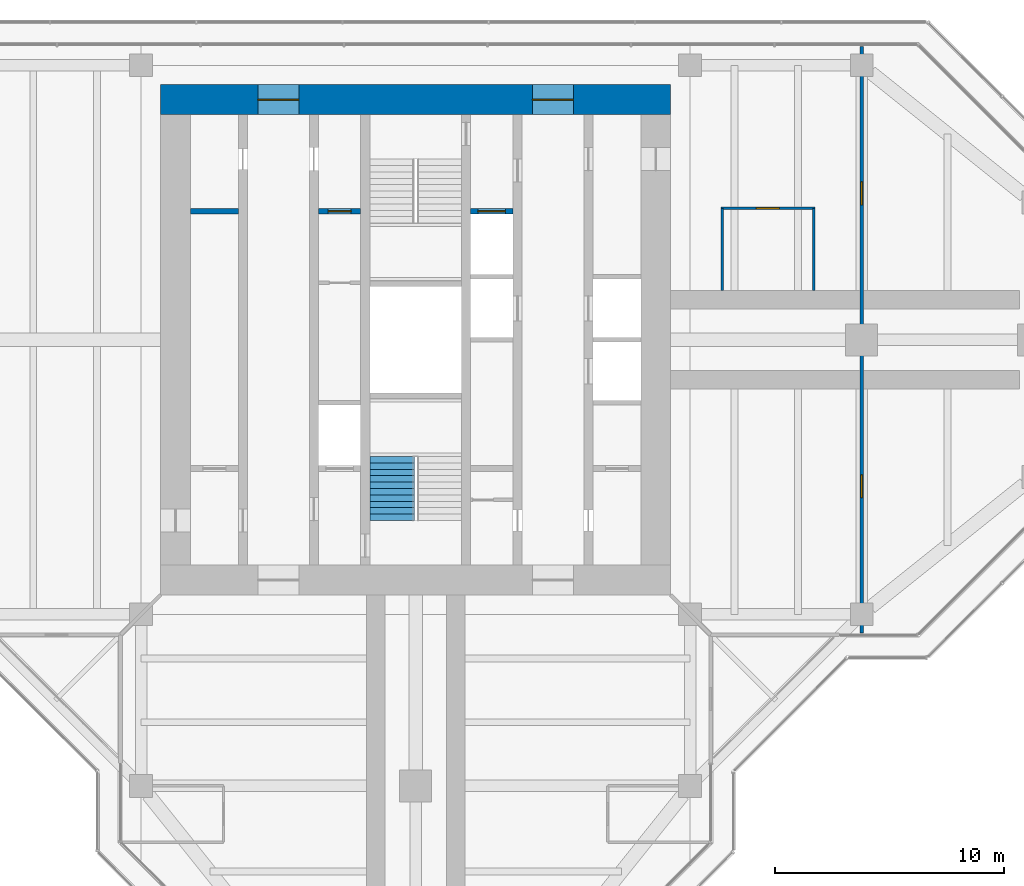
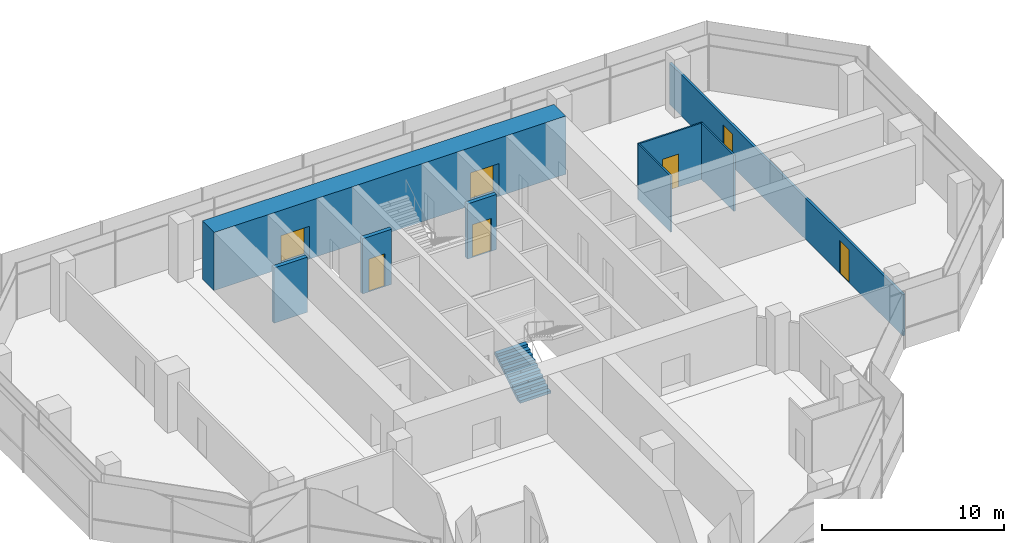
# One storey, part 13 of 15: 8 walls, 7 doors, 1 stair flight, 7 openings, 1 element without a shape of its own.
"""IFC4 building model written with IfcOpenShell, lengths in metres."""

from ifc_helpers import new_model, si_unit, direction, frame, frame_2d, origin, place, context, subcontext, project, spatial, polyline, rectangle, outline, extrude, material, layer, layer_set, type_object, element, fill, aggregate, save


model = new_model("IFC4")

# Units and contexts
model_context = context("Model", 3, precision=1e-05, world=origin(), true_north=direction((0.0, 1.0)))
body_context = subcontext(model_context, "Body", "Model", "MODEL_VIEW")
ifc_project = project(units=[si_unit("LENGTHUNIT", "METRE"), si_unit("AREAUNIT", "SQUARE_METRE"), si_unit("VOLUMEUNIT", "CUBIC_METRE"), si_unit("PLANEANGLEUNIT", "RADIAN"), si_unit("MASSUNIT", "GRAM", prefix="KILO")], contexts=[model_context])

# Site, building, storey
site_placement = place(None, origin())
site = spatial("IfcSite", under=ifc_project, at=site_placement, CompositionType="ELEMENT")
building_placement = place(site_placement, origin())
building = spatial("IfcBuilding", under=site, at=building_placement, Name="Mizan Broadcast Tower", CompositionType="ELEMENT")
storey_placement = place(building_placement, frame((0.0, 0.0, 298.5)))
storey = spatial("IfcBuildingStorey", under=building, at=storey_placement, Name="L71", CompositionType="ELEMENT", Elevation=298.5)

# Wall, openings, doors
ifc_material_1 = material(Name="Concrete C70/85", Category="concrete")
ifc_layer_1 = layer(ifc_material_1, 1.300048828125)
ifc_layer_set_1 = layer_set([ifc_layer_1], Name="Concrete C70/85")
wall_type_1 = type_object("IfcWallType", Name="CORE WALL 1300", PredefinedType="SHEAR", material=ifc_layer_set_1)
wall_1_placement = place(storey_placement, frame((-11.14990234375, 10.5, 0.0), z_axis=(0.0, 0.0, 1.0), x_axis=(1.0, 0.0, 0.0)))
wall_1 = element("IfcWall", 1, at=wall_1_placement, inside=storey, type_object=wall_type_1, Name="Core wall N L71", PredefinedType="SHEAR", context=body_context, shape_type="SweptSolid", body=[
    extrude(rectangle(XDim=22.2998046875, YDim=1.300048828125, at=frame_2d((11.14990234375, 0.0))), origin(), (0.0, 0.0, 1.0), 3.89990234375),
])
opening_1_placement = place(wall_1_placement, frame((4.25, 0.0, 0.0)))
opening_1 = element("IfcOpeningElement", 2, at=opening_1_placement, cuts=wall_1, Name="Opening D18F", PredefinedType="OPENING", context=body_context, shape_type="SweptSolid", body=[
    extrude(rectangle(XDim=1.800048828125, YDim=2.199951171875, at=frame_2d((0.89990234375, 1.10009765625))), frame((0.0, 0.659912109375, 0.0), z_axis=(0.0, -1.0, 0.0), x_axis=(1.0, 0.0, 0.0)), (0.0, 0.0, 1.0), 1.320068359375),
])
opening_2_placement = place(wall_1_placement, frame((16.25, 0.0, 0.0)))
opening_2 = element("IfcOpeningElement", 3, at=opening_2_placement, cuts=wall_1, Name="Opening D18F", PredefinedType="OPENING", context=body_context, shape_type="SweptSolid", body=[
    extrude(rectangle(XDim=1.800048828125, YDim=2.199951171875, at=frame_2d((0.89990234375, 1.10009765625))), frame((0.0, 0.659912109375, 0.0), z_axis=(0.0, -1.0, 0.0), x_axis=(1.0, 0.0, 0.0)), (0.0, 0.0, 1.0), 1.320068359375),
])
ifc_material_2 = material(Name="Steel door leaf in steel frame", Category="steel")
door_type_1 = type_object("IfcDoorType", Name="LOBBY DOUBLE DOOR 1800 FD90", OperationType="DOUBLE_DOOR_DOUBLE_SWING", PredefinedType="DOOR", material=ifc_material_2)
door_1_placement = place(opening_1_placement, origin())
door_1 = element("IfcDoor", 4, at=door_1_placement, inside=storey, type_object=door_type_1, Name="West lift lobby north door", OperationType="DOUBLE_DOOR_DOUBLE_SWING", OverallHeight=2.199951171875, OverallWidth=1.800048828125, PredefinedType="DOOR", context=body_context, shape_type="SweptSolid", body=[
    extrude(rectangle(XDim=1.800048828125, YDim=2.199951171875, at=frame_2d((0.89990234375, 1.10009765625))), frame((0.0, 0.02490234375, 0.0), z_axis=(0.0, -1.0, 0.0), x_axis=(1.0, 0.0, 0.0)), (0.0, 0.0, 1.0), 0.050048828125),
])
fill(opening_1, door_1)
door_2_placement = place(opening_2_placement, origin())
door_2 = element("IfcDoor", 5, at=door_2_placement, inside=storey, type_object=door_type_1, Name="East lift lobby north door", OperationType="DOUBLE_DOOR_DOUBLE_SWING", OverallHeight=2.199951171875, OverallWidth=1.800048828125, PredefinedType="DOOR", context=body_context, shape_type="SweptSolid", body=[
    extrude(rectangle(XDim=1.800048828125, YDim=2.199951171875, at=frame_2d((0.89990234375, 1.10009765625))), frame((0.0, 0.02490234375, 0.0), z_axis=(0.0, -1.0, 0.0), x_axis=(1.0, 0.0, 0.0)), (0.0, 0.0, 1.0), 0.050048828125),
])
fill(opening_2, door_2)

# Wall
ifc_material_3 = material(Name="Concrete blockwork", Category="masonry")
ifc_layer_2 = layer(ifc_material_3, 0.25)
ifc_layer_set_2 = layer_set([ifc_layer_2], Name="Concrete blockwork")
wall_type_2 = type_object("IfcWallType", Name="LOBBY ENCLOSURE WALL 250", PredefinedType="SOLIDWALL", material=ifc_layer_set_2)
wall_2_placement = place(storey_placement, frame((-9.85009765625, 5.625, 0.0), z_axis=(0.0, 0.0, 1.0), x_axis=(1.0, 0.0, 0.0)))
element("IfcWall", 6, at=wall_2_placement, inside=storey, type_object=wall_type_2, Name="Lobby enclosure wall CORE/BW1N", PredefinedType="SOLIDWALL", context=body_context, shape_type="SweptSolid", body=[
    extrude(rectangle(XDim=2.10009765625, YDim=0.25, at=frame_2d((1.050048828125, 0.0))), origin(), (0.0, 0.0, 1.0), 3.699951171875),
])

# Wall, opening, door
wall_3_placement = place(storey_placement, frame((-4.25, 5.625, 0.0), z_axis=(0.0, 0.0, 1.0), x_axis=(1.0, 0.0, 0.0)))
wall_3 = element("IfcWall", 7, at=wall_3_placement, inside=storey, type_object=wall_type_2, Name="Lobby enclosure wall CORE/BW2N", PredefinedType="SOLIDWALL", context=body_context, shape_type="SweptSolid", body=[
    extrude(rectangle(XDim=1.85009765625, YDim=0.25, at=frame_2d((0.925048828125, 0.0))), origin(), (0.0, 0.0, 1.0), 3.699951171875),
])
opening_3_placement = place(wall_3_placement, frame((0.425048828125, 0.0, 0.0)))
opening_3 = element("IfcOpeningElement", 8, at=opening_3_placement, cuts=wall_3, Name="Opening D10F", PredefinedType="OPENING", context=body_context, shape_type="SweptSolid", body=[
    extrude(rectangle(XDim=1.0, YDim=2.199951171875, at=frame_2d((0.5, 1.10009765625))), frame((0.0, 0.135009765625, 0.0), z_axis=(0.0, -1.0, 0.0), x_axis=(1.0, 0.0, 0.0)), (0.0, 0.0, 1.0), 0.27001953125),
])
ifc_material_4 = material(Name="Steel door leaf in steel frame", Category="steel")
door_type_2 = type_object("IfcDoorType", Name="FIRE DOOR 1000 FD90", OperationType="SINGLE_SWING_LEFT", PredefinedType="DOOR", material=ifc_material_4)
door_3_placement = place(opening_3_placement, origin())
door_3 = element("IfcDoor", 9, at=door_3_placement, inside=storey, type_object=door_type_2, Name="Accessible changing room door", OperationType="SINGLE_SWING_RIGHT", OverallHeight=2.199951171875, OverallWidth=1.0, PredefinedType="DOOR", context=body_context, shape_type="SweptSolid", body=[
    extrude(rectangle(XDim=1.0, YDim=2.199951171875, at=frame_2d((0.5, 1.10009765625))), frame((0.0, 0.02490234375, 0.0), z_axis=(0.0, -1.0, 0.0), x_axis=(1.0, 0.0, 0.0)), (0.0, 0.0, 1.0), 0.050048828125),
])
fill(opening_3, door_3)

wall_4_placement = place(storey_placement, frame((2.39990234375, 5.625, 0.0), z_axis=(0.0, 0.0, 1.0), x_axis=(1.0, 0.0, 0.0)))
wall_4 = element("IfcWall", 10, at=wall_4_placement, inside=storey, type_object=wall_type_2, Name="Lobby enclosure wall CORE/BE2N", PredefinedType="SOLIDWALL", context=body_context, shape_type="SweptSolid", body=[
    extrude(rectangle(XDim=1.85009765625, YDim=0.25, at=frame_2d((0.925048828125, 0.0))), origin(), (0.0, 0.0, 1.0), 3.699951171875),
])
opening_4_placement = place(wall_4_placement, frame((0.324951171875, 0.0, 0.0)))
opening_4 = element("IfcOpeningElement", 11, at=opening_4_placement, cuts=wall_4, Name="Opening LDF", PredefinedType="OPENING", context=body_context, shape_type="SweptSolid", body=[
    extrude(rectangle(XDim=1.199951171875, YDim=2.199951171875, at=frame_2d((0.60009765625, 1.10009765625))), frame((0.0, 0.135009765625, 0.0), z_axis=(0.0, -1.0, 0.0), x_axis=(1.0, 0.0, 0.0)), (0.0, 0.0, 1.0), 0.27001953125),
])
ifc_material_5 = material(Name="Steel door leaf in steel frame", Category="steel")
door_type_3 = type_object("IfcDoorType", Name="FIREFIGHTING LIFT LANDING DOOR 1200", OperationType="SLIDING_TO_LEFT", PredefinedType="DOOR", material=ifc_material_5)
door_4_placement = place(opening_4_placement, origin())
door_4 = element("IfcDoor", 12, at=door_4_placement, inside=storey, type_object=door_type_3, Name="Landing door FF2", OperationType="SLIDING_TO_LEFT", OverallHeight=2.199951171875, OverallWidth=1.199951171875, PredefinedType="DOOR", context=body_context, shape_type="SweptSolid", body=[
    extrude(rectangle(XDim=1.199951171875, YDim=2.199951171875, at=frame_2d((0.60009765625, 1.10009765625))), frame((0.0, 0.02490234375, 0.0), z_axis=(0.0, -1.0, 0.0), x_axis=(1.0, 0.0, 0.0)), (0.0, 0.0, 1.0), 0.050048828125),
])
fill(opening_4, door_4)

# Wall, openings, doors
ifc_material_6 = material(Name="Gypsum board on steel studs", Category="steel")
ifc_layer_3 = layer(ifc_material_6, 0.14990234375)
ifc_layer_set_3 = layer_set([ifc_layer_3], Name="Gypsum board on steel studs")
wall_type_3 = type_object("IfcWallType", Name="PARTITION 150", PredefinedType="PARTITIONING", material=ifc_layer_set_3)
wall_5_placement = place(storey_placement, frame((19.5, -12.820068359375, 0.0), z_axis=(0.0, 0.0, 1.0), x_axis=(0.0, 1.0, 0.0)))
wall_5 = element("IfcWall", 13, at=wall_5_placement, inside=storey, type_object=wall_type_3, Name="Partition PT/EX1", PredefinedType="PARTITIONING", context=body_context, shape_type="SweptSolid", body=[
    extrude(rectangle(XDim=25.64013671875, YDim=0.14990234375, at=frame_2d((12.820068359375, 0.0))), origin(), (0.0, 0.0, 1.0), 2.77001953125),
])
opening_5_placement = place(wall_5_placement, frame((18.719970703125, 0.0, 0.0)))
opening_5 = element("IfcOpeningElement", 14, at=opening_5_placement, cuts=wall_5, Name="Opening D10", PredefinedType="OPENING", context=body_context, shape_type="SweptSolid", body=[
    extrude(rectangle(XDim=1.0, YDim=2.199951171875, at=frame_2d((0.5, 1.10009765625))), frame((0.0, 0.0849609375, 0.0), z_axis=(0.0, -1.0, 0.0), x_axis=(1.0, 0.0, 0.0)), (0.0, 0.0, 1.0), 0.169921875),
])
opening_6_placement = place(wall_5_placement, frame((5.919921875, 0.0, 0.0)))
opening_6 = element("IfcOpeningElement", 15, at=opening_6_placement, cuts=wall_5, Name="Opening D10", PredefinedType="OPENING", context=body_context, shape_type="SweptSolid", body=[
    extrude(rectangle(XDim=1.0, YDim=2.199951171875, at=frame_2d((0.5, 1.10009765625))), frame((0.0, 0.0849609375, 0.0), z_axis=(0.0, -1.0, 0.0), x_axis=(1.0, 0.0, 0.0)), (0.0, 0.0, 1.0), 0.169921875),
])
ifc_material_7 = material(Name="Timber door leaf in aluminium frame", Category="wood")
door_type_4 = type_object("IfcDoorType", Name="ROOM DOOR 1000", OperationType="SINGLE_SWING_LEFT", PredefinedType="DOOR", material=ifc_material_7)
door_5_placement = place(opening_5_placement, origin())
door_5 = element("IfcDoor", 16, at=door_5_placement, inside=storey, type_object=door_type_4, Name="Private dining room door", OperationType="SINGLE_SWING_RIGHT", OverallHeight=2.199951171875, OverallWidth=1.0, PredefinedType="DOOR", context=body_context, shape_type="SweptSolid", body=[
    extrude(rectangle(XDim=1.0, YDim=2.199951171875, at=frame_2d((0.5, 1.10009765625))), frame((0.0, 0.02490234375, 0.0), z_axis=(0.0, -1.0, 0.0), x_axis=(1.0, 0.0, 0.0)), (0.0, 0.0, 1.0), 0.050048828125),
])
fill(opening_5, door_5)
door_6_placement = place(opening_6_placement, origin())
door_6 = element("IfcDoor", 17, at=door_6_placement, inside=storey, type_object=door_type_4, Name="Private dining room door", OperationType="SINGLE_SWING_LEFT", OverallHeight=2.199951171875, OverallWidth=1.0, PredefinedType="DOOR", context=body_context, shape_type="SweptSolid", body=[
    extrude(rectangle(XDim=1.0, YDim=2.199951171875, at=frame_2d((0.5, 1.10009765625))), frame((0.0, 0.02490234375, 0.0), z_axis=(0.0, -1.0, 0.0), x_axis=(1.0, 0.0, 0.0)), (0.0, 0.0, 1.0), 0.050048828125),
])
fill(opening_6, door_6)

# Walls
ifc_material_8 = material(Name="Glazed aluminium partition on aluminium track", Category="aluminium")
ifc_layer_4 = layer(ifc_material_8, 0.10009765625)
ifc_layer_set_4 = layer_set([ifc_layer_4], Name="Glazed aluminium partition on aluminium track")
wall_type_4 = type_object("IfcWallType", Name="PARTITION GLAZED OFFICE FRONT 100", PredefinedType="PARTITIONING", material=ifc_layer_set_4)
for number, where, z_axis, x_axis, name in (
    (18, (13.39990234375, 2.14990234375, 0.0), (0.0, 0.0, 1.0), (0.0, 1.0, 0.0), "Glazed office front PT/EKP0a"),
    (19, (17.39990234375, 2.14990234375, 0.0), (0.0, 0.0, 1.0), (0.0, 1.0, 0.0), "Glazed office front PT/EKP0b"),
):
    element("IfcWall", number, at=place(storey_placement, frame(where, z_axis=z_axis, x_axis=x_axis)), inside=storey, type_object=wall_type_4, Name=name, PredefinedType="PARTITIONING", context=body_context, shape_type="SweptSolid", body=[
        extrude(rectangle(XDim=3.60009765625, YDim=0.10009765625, at=frame_2d((1.800048828125, 0.0))), origin(), (0.0, 0.0, 1.0), 3.77001953125),
    ])

# Wall, opening, door
wall_6_placement = place(storey_placement, frame((13.35009765625, 5.75, 0.0), z_axis=(0.0, 0.0, 1.0), x_axis=(1.0, 0.0, 0.0)))
wall_6 = element("IfcWall", 20, at=wall_6_placement, inside=storey, type_object=wall_type_4, Name="Glazed office front PT/EKP0f", PredefinedType="PARTITIONING", context=body_context, shape_type="SweptSolid", body=[
    extrude(rectangle(XDim=4.099853515625, YDim=0.10009765625, at=frame_2d((2.0498046875, 0.0))), origin(), (0.0, 0.0, 1.0), 3.77001953125),
])
opening_7_placement = place(wall_6_placement, frame((1.550048828125, 0.0, 0.0)))
opening_7 = element("IfcOpeningElement", 21, at=opening_7_placement, cuts=wall_6, Name="Opening D10O", PredefinedType="OPENING", context=body_context, shape_type="SweptSolid", body=[
    extrude(rectangle(XDim=1.0, YDim=2.199951171875, at=frame_2d((0.5, 1.10009765625))), frame((0.0, 0.06005859375, 0.0), z_axis=(0.0, -1.0, 0.0), x_axis=(1.0, 0.0, 0.0)), (0.0, 0.0, 1.0), 0.1201171875),
])
ifc_material_9 = material(Name="Timber door leaf in aluminium frame", Category="wood")
door_type_5 = type_object("IfcDoorType", Name="OFFICE DOOR 1000 GLAZED", OperationType="SINGLE_SWING_LEFT", PredefinedType="DOOR", material=ifc_material_9)
door_7_placement = place(opening_7_placement, origin())
door_7 = element("IfcDoor", 22, at=door_7_placement, inside=storey, type_object=door_type_5, Name="Servery door", OperationType="SINGLE_SWING_LEFT", OverallHeight=2.199951171875, OverallWidth=1.0, PredefinedType="DOOR", context=body_context, shape_type="SweptSolid", body=[
    extrude(rectangle(XDim=1.0, YDim=2.199951171875, at=frame_2d((0.5, 1.10009765625))), frame((0.0, 0.02490234375, 0.0), z_axis=(0.0, -1.0, 0.0), x_axis=(1.0, 0.0, 0.0)), (0.0, 0.0, 1.0), 0.050048828125),
])
fill(opening_7, door_7)

# Stair, stair flight
ifc_material_10 = material(Name="Concrete C40/50", Category="concrete")
stair_type = type_object("IfcStairType", Name="EXIT STAIR", PredefinedType="HALF_TURN_STAIR", material=ifc_material_10)
stair_placement = place(storey_placement, origin())
stair = element("IfcStair", 23, at=stair_placement, inside=storey, type_object=stair_type, Name="Stair A L71", PredefinedType="HALF_TURN_STAIR")
ifc_material_11 = material(Name="Concrete C40/50", Category="concrete")
stair_flight_type = type_object("IfcStairFlightType", Name="EXIT STAIR FLIGHT", PredefinedType="STRAIGHT", material=ifc_material_11)
stair_flight_placement = place(storey_placement, frame((-1.02490234375, -7.89990234375, 0.0), z_axis=(0.0, 0.0, 1.0), x_axis=(0.0, 1.0, 0.0)))
stair_flight = element("IfcStairFlight", 24, at=stair_flight_placement, type_object=stair_flight_type, Name="A flight 1", NumberOfRisers=11, NumberOfTreads=10, PredefinedType="STRAIGHT", RiserHeight=0.177272727, TreadLength=0.28, context=body_context, shape_type="SweptSolid", body=[
    extrude(outline(polyline([(0.0, 0.0), (0.0, 0.17724609375), (0.280029296875, 0.17724609375), (0.280029296875, 0.3544921875), (0.56005859375, 0.3544921875), (0.56005859375, 0.53173828125), (0.840087890625, 0.53173828125), (0.840087890625, 0.708984375), (1.1201171875, 0.708984375), (1.1201171875, 0.886474609375), (1.39990234375, 0.886474609375), (1.39990234375, 1.063720703125), (1.679931640625, 1.063720703125), (1.679931640625, 1.240966796875), (1.9599609375, 1.240966796875), (1.9599609375, 1.418212890625), (2.239990234375, 1.418212890625), (2.239990234375, 1.595458984375), (2.52001953125, 1.595458984375), (2.52001953125, 1.772705078125), (2.800048828125, 1.772705078125), (2.800048828125, 1.949951171875), (2.800048828125, 1.59521484375), (0.2802734375, 0.0), (0.0, 0.0)])), frame((0.0, 0.97509765625, 0.0), z_axis=(0.0, -1.0, 0.0), x_axis=(1.0, 0.0, 0.0)), (0.0, 0.0, 1.0), 0.4873046875),
    extrude(outline(polyline([(0.0, 0.0), (0.0, 0.17724609375), (0.280029296875, 0.17724609375), (0.280029296875, 0.3544921875), (0.56005859375, 0.3544921875), (0.56005859375, 0.53173828125), (0.840087890625, 0.53173828125), (0.840087890625, 0.708984375), (1.1201171875, 0.708984375), (1.1201171875, 0.886474609375), (1.39990234375, 0.886474609375), (1.39990234375, 1.063720703125), (1.679931640625, 1.063720703125), (1.679931640625, 1.240966796875), (1.9599609375, 1.240966796875), (1.9599609375, 1.418212890625), (2.239990234375, 1.418212890625), (2.239990234375, 1.595458984375), (2.52001953125, 1.595458984375), (2.52001953125, 1.772705078125), (2.800048828125, 1.772705078125), (2.800048828125, 1.949951171875), (2.800048828125, 1.59521484375), (0.2802734375, 0.0), (0.0, 0.0)])), frame((0.0, 0.4873046875, 0.0), z_axis=(0.0, -1.0, 0.0), x_axis=(1.0, 0.0, 0.0)), (0.0, 0.0, 1.0), 0.2431640625),
    extrude(outline(polyline([(0.0, 0.0), (0.0, 0.17724609375), (0.280029296875, 0.17724609375), (0.280029296875, 0.3544921875), (0.56005859375, 0.3544921875), (0.56005859375, 0.53173828125), (0.840087890625, 0.53173828125), (0.840087890625, 0.708984375), (1.1201171875, 0.708984375), (1.1201171875, 0.886474609375), (1.39990234375, 0.886474609375), (1.39990234375, 1.063720703125), (1.679931640625, 1.063720703125), (1.679931640625, 1.240966796875), (1.9599609375, 1.240966796875), (1.9599609375, 1.418212890625), (2.239990234375, 1.418212890625), (2.239990234375, 1.595458984375), (2.52001953125, 1.595458984375), (2.52001953125, 1.772705078125), (2.800048828125, 1.772705078125), (2.800048828125, 1.949951171875), (2.800048828125, 1.59521484375), (0.2802734375, 0.0), (0.0, 0.0)])), frame((0.0, 0.24365234375, 0.0), z_axis=(0.0, -1.0, 0.0), x_axis=(1.0, 0.0, 0.0)), (0.0, 0.0, 1.0), 0.121337890625),
    extrude(outline(polyline([(0.0, 0.0), (0.0, 0.17724609375), (0.280029296875, 0.17724609375), (0.280029296875, 0.3544921875), (0.56005859375, 0.3544921875), (0.56005859375, 0.53173828125), (0.840087890625, 0.53173828125), (0.840087890625, 0.708984375), (1.1201171875, 0.708984375), (1.1201171875, 0.886474609375), (1.39990234375, 0.886474609375), (1.39990234375, 1.063720703125), (1.679931640625, 1.063720703125), (1.679931640625, 1.240966796875), (1.9599609375, 1.240966796875), (1.9599609375, 1.418212890625), (2.239990234375, 1.418212890625), (2.239990234375, 1.595458984375), (2.52001953125, 1.595458984375), (2.52001953125, 1.772705078125), (2.800048828125, 1.772705078125), (2.800048828125, 1.949951171875), (2.800048828125, 1.59521484375), (0.2802734375, 0.0), (0.0, 0.0)])), frame((0.0, 0.121826171875, 0.0), z_axis=(0.0, -1.0, 0.0), x_axis=(1.0, 0.0, 0.0)), (0.0, 0.0, 1.0), 0.060546875),
    extrude(outline(polyline([(0.0, 0.0), (0.0, 0.17724609375), (0.280029296875, 0.17724609375), (0.280029296875, 0.3544921875), (0.56005859375, 0.3544921875), (0.56005859375, 0.53173828125), (0.840087890625, 0.53173828125), (0.840087890625, 0.708984375), (1.1201171875, 0.708984375), (1.1201171875, 0.886474609375), (1.39990234375, 0.886474609375), (1.39990234375, 1.063720703125), (1.679931640625, 1.063720703125), (1.679931640625, 1.240966796875), (1.9599609375, 1.240966796875), (1.9599609375, 1.418212890625), (2.239990234375, 1.418212890625), (2.239990234375, 1.595458984375), (2.52001953125, 1.595458984375), (2.52001953125, 1.772705078125), (2.800048828125, 1.772705078125), (2.800048828125, 1.949951171875), (2.800048828125, 1.59521484375), (0.2802734375, 0.0), (0.0, 0.0)])), frame((0.0, 0.060791015625, 0.0), z_axis=(0.0, -1.0, 0.0), x_axis=(1.0, 0.0, 0.0)), (0.0, 0.0, 1.0), 0.030029296875),
    extrude(outline(polyline([(0.0, 0.0), (0.0, 0.17724609375), (0.280029296875, 0.17724609375), (0.280029296875, 0.3544921875), (0.56005859375, 0.3544921875), (0.56005859375, 0.53173828125), (0.840087890625, 0.53173828125), (0.840087890625, 0.708984375), (1.1201171875, 0.708984375), (1.1201171875, 0.886474609375), (1.39990234375, 0.886474609375), (1.39990234375, 1.063720703125), (1.679931640625, 1.063720703125), (1.679931640625, 1.240966796875), (1.9599609375, 1.240966796875), (1.9599609375, 1.418212890625), (2.239990234375, 1.418212890625), (2.239990234375, 1.595458984375), (2.52001953125, 1.595458984375), (2.52001953125, 1.772705078125), (2.800048828125, 1.772705078125), (2.800048828125, 1.949951171875), (2.800048828125, 1.59521484375), (0.2802734375, 0.0), (0.0, 0.0)])), frame((0.0, 0.0302734375, 0.0), z_axis=(0.0, -1.0, 0.0), x_axis=(1.0, 0.0, 0.0)), (0.0, 0.0, 1.0), 0.060302734375),
    extrude(outline(polyline([(0.0, 0.0), (0.0, 0.17724609375), (0.280029296875, 0.17724609375), (0.280029296875, 0.3544921875), (0.56005859375, 0.3544921875), (0.56005859375, 0.53173828125), (0.840087890625, 0.53173828125), (0.840087890625, 0.708984375), (1.1201171875, 0.708984375), (1.1201171875, 0.886474609375), (1.39990234375, 0.886474609375), (1.39990234375, 1.063720703125), (1.679931640625, 1.063720703125), (1.679931640625, 1.240966796875), (1.9599609375, 1.240966796875), (1.9599609375, 1.418212890625), (2.239990234375, 1.418212890625), (2.239990234375, 1.595458984375), (2.52001953125, 1.595458984375), (2.52001953125, 1.772705078125), (2.800048828125, 1.772705078125), (2.800048828125, 1.949951171875), (2.800048828125, 1.59521484375), (0.2802734375, 0.0), (0.0, 0.0)])), frame((0.0, -0.030517578125, 0.0), z_axis=(0.0, -1.0, 0.0), x_axis=(1.0, 0.0, 0.0)), (0.0, 0.0, 1.0), 0.030029296875),
    extrude(outline(polyline([(0.0, 0.0), (0.0, 0.17724609375), (0.280029296875, 0.17724609375), (0.280029296875, 0.3544921875), (0.56005859375, 0.3544921875), (0.56005859375, 0.53173828125), (0.840087890625, 0.53173828125), (0.840087890625, 0.708984375), (1.1201171875, 0.708984375), (1.1201171875, 0.886474609375), (1.39990234375, 0.886474609375), (1.39990234375, 1.063720703125), (1.679931640625, 1.063720703125), (1.679931640625, 1.240966796875), (1.9599609375, 1.240966796875), (1.9599609375, 1.418212890625), (2.239990234375, 1.418212890625), (2.239990234375, 1.595458984375), (2.52001953125, 1.595458984375), (2.52001953125, 1.772705078125), (2.800048828125, 1.772705078125), (2.800048828125, 1.949951171875), (2.800048828125, 1.59521484375), (0.2802734375, 0.0), (0.0, 0.0)])), frame((0.0, -0.06103515625, 0.0), z_axis=(0.0, -1.0, 0.0), x_axis=(1.0, 0.0, 0.0)), (0.0, 0.0, 1.0), 0.060546875),
    extrude(outline(polyline([(0.0, 0.0), (0.0, 0.17724609375), (0.280029296875, 0.17724609375), (0.280029296875, 0.3544921875), (0.56005859375, 0.3544921875), (0.56005859375, 0.53173828125), (0.840087890625, 0.53173828125), (0.840087890625, 0.708984375), (1.1201171875, 0.708984375), (1.1201171875, 0.886474609375), (1.39990234375, 0.886474609375), (1.39990234375, 1.063720703125), (1.679931640625, 1.063720703125), (1.679931640625, 1.240966796875), (1.9599609375, 1.240966796875), (1.9599609375, 1.418212890625), (2.239990234375, 1.418212890625), (2.239990234375, 1.595458984375), (2.52001953125, 1.595458984375), (2.52001953125, 1.772705078125), (2.800048828125, 1.772705078125), (2.800048828125, 1.949951171875), (2.800048828125, 1.59521484375), (0.2802734375, 0.0), (0.0, 0.0)])), frame((0.0, -0.1220703125, 0.0), z_axis=(0.0, -1.0, 0.0), x_axis=(1.0, 0.0, 0.0)), (0.0, 0.0, 1.0), 0.121337890625),
    extrude(outline(polyline([(0.0, 0.0), (0.0, 0.17724609375), (0.280029296875, 0.17724609375), (0.280029296875, 0.3544921875), (0.56005859375, 0.3544921875), (0.56005859375, 0.53173828125), (0.840087890625, 0.53173828125), (0.840087890625, 0.708984375), (1.1201171875, 0.708984375), (1.1201171875, 0.886474609375), (1.39990234375, 0.886474609375), (1.39990234375, 1.063720703125), (1.679931640625, 1.063720703125), (1.679931640625, 1.240966796875), (1.9599609375, 1.240966796875), (1.9599609375, 1.418212890625), (2.239990234375, 1.418212890625), (2.239990234375, 1.595458984375), (2.52001953125, 1.595458984375), (2.52001953125, 1.772705078125), (2.800048828125, 1.772705078125), (2.800048828125, 1.949951171875), (2.800048828125, 1.59521484375), (0.2802734375, 0.0), (0.0, 0.0)])), frame((0.0, -0.243896484375, 0.0), z_axis=(0.0, -1.0, 0.0), x_axis=(1.0, 0.0, 0.0)), (0.0, 0.0, 1.0), 0.2431640625),
    extrude(outline(polyline([(0.0, 0.0), (0.0, 0.17724609375), (0.280029296875, 0.17724609375), (0.280029296875, 0.3544921875), (0.56005859375, 0.3544921875), (0.56005859375, 0.53173828125), (0.840087890625, 0.53173828125), (0.840087890625, 0.708984375), (1.1201171875, 0.708984375), (1.1201171875, 0.886474609375), (1.39990234375, 0.886474609375), (1.39990234375, 1.063720703125), (1.679931640625, 1.063720703125), (1.679931640625, 1.240966796875), (1.9599609375, 1.240966796875), (1.9599609375, 1.418212890625), (2.239990234375, 1.418212890625), (2.239990234375, 1.595458984375), (2.52001953125, 1.595458984375), (2.52001953125, 1.772705078125), (2.800048828125, 1.772705078125), (2.800048828125, 1.949951171875), (2.800048828125, 1.59521484375), (0.2802734375, 0.0), (0.0, 0.0)])), frame((0.0, -0.487548828125, 0.0), z_axis=(0.0, -1.0, 0.0), x_axis=(1.0, 0.0, 0.0)), (0.0, 0.0, 1.0), 0.4873046875),
])
aggregate(stair, [stair_flight])

save(model, "model.ifc")
